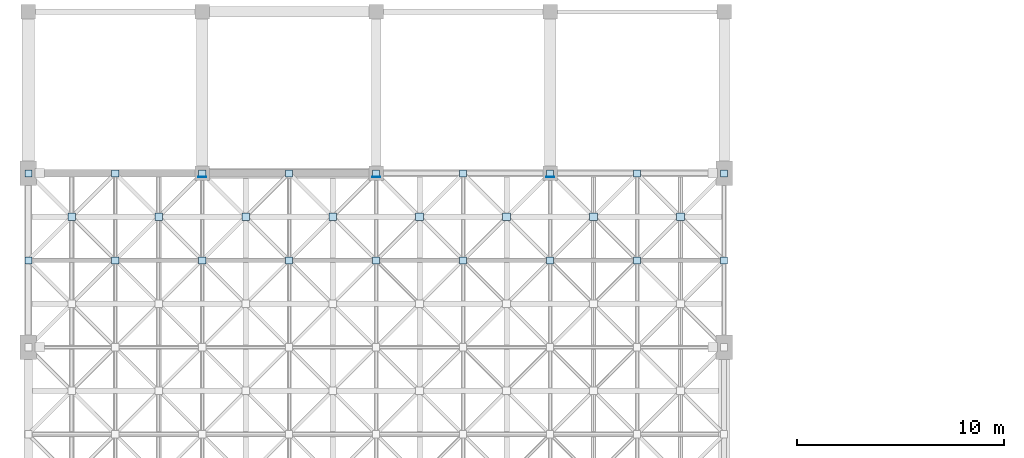
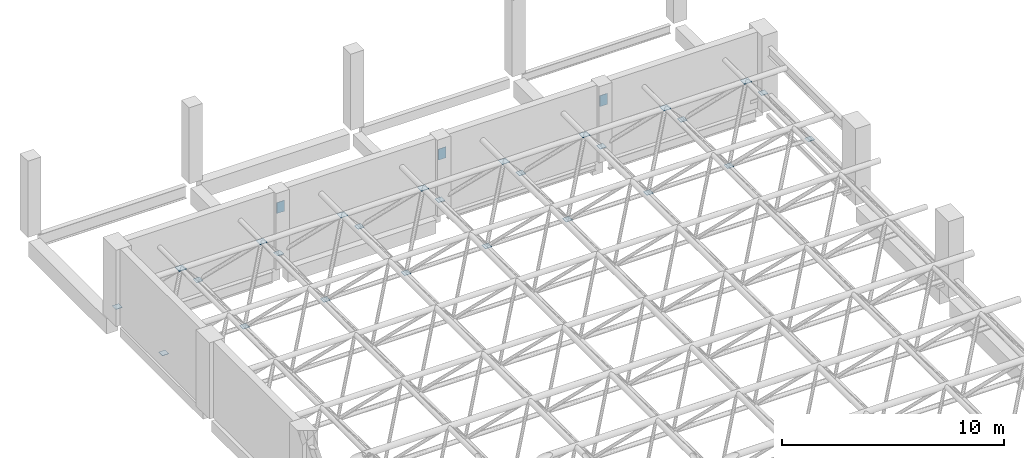
# One storey, part 48 of 64: 29 plates.
"""IFC4 building model written with IfcOpenShell, lengths in metres."""

from ifc_helpers import new_model, si_unit, derived_unit, direction, frame, origin, origin_2d, place, context, subcontext, project, spatial, rectangle, extrude, material, layer, layer_set, type_object, element, save


model = new_model("IFC4")

# Units and contexts
model_context = context("Model", 3, precision=1e-05, world=origin(), true_north=direction((0.0, 1.0)))
body_context = subcontext(model_context, "Body", "Model", "MODEL_VIEW")
ifc_project = project(units=[si_unit("LENGTHUNIT", "METRE"), si_unit("AREAUNIT", "SQUARE_METRE"), si_unit("VOLUMEUNIT", "CUBIC_METRE"), si_unit("PLANEANGLEUNIT", "RADIAN"), si_unit("MASSUNIT", "GRAM", prefix="KILO"), derived_unit("THERMALTRANSMITTANCEUNIT", [(si_unit("POWERUNIT", "WATT"), 1), (si_unit("LENGTHUNIT", "METRE"), -2), (si_unit("THERMODYNAMICTEMPERATUREUNIT", "KELVIN"), -1)])], contexts=[model_context])

# Site, building, storey
site_placement = place(None, origin())
site = spatial("IfcSite", under=ifc_project, at=site_placement, CompositionType="ELEMENT")
building_placement = place(site_placement, origin())
building = spatial("IfcBuilding", under=site, at=building_placement, Name="Barrovel Congress Hotel", CompositionType="ELEMENT")
storey_placement = place(building_placement, frame((0.0, 0.0, 14.10009765625)))
storey = spatial("IfcBuildingStorey", under=building, at=storey_placement, Name="L03", CompositionType="ELEMENT", Elevation=14.10009765625)

# Plates
ifc_material = material(Name="Steel ASTM A992 Grade 50", Category="steel")
ifc_layer_1 = layer(ifc_material, 0.02001953125)
ifc_layer_set_1 = layer_set([ifc_layer_1], Name="Steel ASTM A992 Grade 50")
plate_type_1 = type_object("IfcPlateType", Name="CIP-20", PredefinedType="SHEET", material=ifc_layer_set_1)
for number, where, z_axis, x_axis, name in (
    (1, (8.39990234375, 104.827880859375, 2.949951171875), (0.0, 0.0, 1.0), (1.0, 0.0, 0.0), "Embedded Plate Congress Roof Truss North Wall 8.4"),
    (2, (16.800048828125, 104.827880859375, 2.949951171875), (0.0, 0.0, 1.0), (1.0, 0.0, 0.0), "Embedded Plate Congress Roof Truss North Wall 16.8"),
    (3, (25.199951171875, 104.827880859375, 2.949951171875), (0.0, 0.0, 1.0), (1.0, 0.0, 0.0), "Embedded Plate Congress Roof Truss North Wall 25.2"),
):
    element("IfcPlate", number, at=place(storey_placement, frame(where, z_axis=z_axis, x_axis=x_axis)), inside=storey, type_object=plate_type_1, Name=name, PredefinedType="SHEET", context=body_context, shape_type="SweptSolid", body=[
        extrude(rectangle(XDim=0.39990234375, YDim=0.02001953125, at=origin_2d()), origin(), (0.0, 0.0, 1.0), 0.60009765625),
    ])
ifc_layer_2 = layer(ifc_material, 0.01611328125)
ifc_layer_set_2 = layer_set([ifc_layer_2], Name="Steel ASTM A992 Grade 50")
plate_type_2 = type_object("IfcPlateType", Name="GP-16", PredefinedType="SHEET", material=ifc_layer_set_2)
for number, where, z_axis, x_axis, name in (
    (4, (10.5, 102.89990234375, 3.241943359375), (0.0, 0.0, 1.0), (1.0, 0.0, 0.0), "Space Frame Node Gusset Plate 2-15"),
    (5, (18.89990234375, 102.89990234375, 3.241943359375), (0.0, 0.0, 1.0), (1.0, 0.0, 0.0), "Space Frame Node Gusset Plate 4-15"),
    (6, (27.300048828125, 102.89990234375, 3.241943359375), (0.0, 0.0, 1.0), (1.0, 0.0, 0.0), "Space Frame Node Gusset Plate 6-15"),
):
    element("IfcPlate", number, at=place(storey_placement, frame(where, z_axis=z_axis, x_axis=x_axis)), inside=storey, type_object=plate_type_2, Name=name, PredefinedType="SHEET", context=body_context, shape_type="SweptSolid", body=[
        extrude(rectangle(XDim=0.3798828125, YDim=0.3798828125, at=origin_2d()), origin(), (0.0, 0.0, 1.0), 0.01611328125),
    ])
for number, where, z_axis, x_axis, name in (
    (7, (0.0, 100.800048828125, 0.591796875), (0.0, 0.0, 1.0), (1.0, 0.0, 0.0), "Space Frame Bottom Node Gusset Plate 0-15"),
    (8, (0.0, 105.0, 0.591796875), (0.0, 0.0, 1.0), (1.0, 0.0, 0.0), "Space Frame Bottom Node Gusset Plate 0-16"),
    (9, (4.199951171875, 100.800048828125, 0.591796875), (0.0, 0.0, 1.0), (1.0, 0.0, 0.0), "Space Frame Bottom Node Gusset Plate 1-15"),
    (10, (4.199951171875, 105.0, 0.591796875), (0.0, 0.0, 1.0), (1.0, 0.0, 0.0), "Space Frame Bottom Node Gusset Plate 1-16"),
    (11, (8.39990234375, 100.800048828125, 0.591796875), (0.0, 0.0, 1.0), (1.0, 0.0, 0.0), "Space Frame Bottom Node Gusset Plate 2-15"),
    (12, (8.39990234375, 105.0, 0.591796875), (0.0, 0.0, 1.0), (1.0, 0.0, 0.0), "Space Frame Bottom Node Gusset Plate 2-16"),
    (13, (12.60009765625, 100.800048828125, 0.591796875), (0.0, 0.0, 1.0), (1.0, 0.0, 0.0), "Space Frame Bottom Node Gusset Plate 3-15"),
    (14, (12.60009765625, 105.0, 0.591796875), (0.0, 0.0, 1.0), (1.0, 0.0, 0.0), "Space Frame Bottom Node Gusset Plate 3-16"),
    (15, (16.800048828125, 100.800048828125, 0.591796875), (0.0, 0.0, 1.0), (1.0, 0.0, 0.0), "Space Frame Bottom Node Gusset Plate 4-15"),
    (16, (16.800048828125, 105.0, 0.591796875), (0.0, 0.0, 1.0), (1.0, 0.0, 0.0), "Space Frame Bottom Node Gusset Plate 4-16"),
    (17, (21.0, 100.800048828125, 0.591796875), (0.0, 0.0, 1.0), (1.0, 0.0, 0.0), "Space Frame Bottom Node Gusset Plate 5-15"),
    (18, (21.0, 105.0, 0.591796875), (0.0, 0.0, 1.0), (1.0, 0.0, 0.0), "Space Frame Bottom Node Gusset Plate 5-16"),
    (19, (25.199951171875, 100.800048828125, 0.591796875), (0.0, 0.0, 1.0), (1.0, 0.0, 0.0), "Space Frame Bottom Node Gusset Plate 6-15"),
    (20, (25.199951171875, 105.0, 0.591796875), (0.0, 0.0, 1.0), (1.0, 0.0, 0.0), "Space Frame Bottom Node Gusset Plate 6-16"),
    (21, (29.39990234375, 100.800048828125, 0.591796875), (0.0, 0.0, 1.0), (1.0, 0.0, 0.0), "Space Frame Bottom Node Gusset Plate 7-15"),
    (22, (29.39990234375, 105.0, 0.591796875), (0.0, 0.0, 1.0), (1.0, 0.0, 0.0), "Space Frame Bottom Node Gusset Plate 7-16"),
    (23, (33.60009765625, 100.800048828125, 0.591796875), (0.0, 0.0, 1.0), (1.0, 0.0, 0.0), "Space Frame Bottom Node Gusset Plate 8-15"),
    (24, (33.60009765625, 105.0, 0.591796875), (0.0, 0.0, 1.0), (1.0, 0.0, 0.0), "Space Frame Bottom Node Gusset Plate 8-16"),
):
    element("IfcPlate", number, at=place(storey_placement, frame(where, z_axis=z_axis, x_axis=x_axis)), inside=storey, type_object=plate_type_2, Name=name, PredefinedType="SHEET", context=body_context, shape_type="SweptSolid", body=[
        extrude(rectangle(XDim=0.340087890625, YDim=0.340087890625, at=origin_2d()), origin(), (0.0, 0.0, 1.0), 0.01611328125),
    ])
ifc_layer_3 = layer(ifc_material, 0.02392578125)
ifc_layer_set_3 = layer_set([ifc_layer_3], Name="Steel ASTM A992 Grade 50")
plate_type_3 = type_object("IfcPlateType", Name="GP-24", PredefinedType="SHEET", material=ifc_layer_set_3)
for number, where, z_axis, x_axis, name in (
    (25, (6.300048828125, 102.89990234375, 3.238037109375), (0.0, 0.0, 1.0), (1.0, 0.0, 0.0), "Space Frame Node Gusset Plate 1-15"),
    (26, (14.699951171875, 102.89990234375, 3.238037109375), (0.0, 0.0, 1.0), (1.0, 0.0, 0.0), "Space Frame Node Gusset Plate 3-15"),
    (27, (23.10009765625, 102.89990234375, 3.238037109375), (0.0, 0.0, 1.0), (1.0, 0.0, 0.0), "Space Frame Node Gusset Plate 5-15"),
    (28, (31.5, 102.89990234375, 3.238037109375), (0.0, 0.0, 1.0), (1.0, 0.0, 0.0), "Space Frame Node Gusset Plate 7-15"),
):
    element("IfcPlate", number, at=place(storey_placement, frame(where, z_axis=z_axis, x_axis=x_axis)), inside=storey, type_object=plate_type_3, Name=name, PredefinedType="SHEET", context=body_context, shape_type="SweptSolid", body=[
        extrude(rectangle(XDim=0.3798828125, YDim=0.3798828125, at=origin_2d()), origin(), (0.0, 0.0, 1.0), 0.02392578125),
    ])
ifc_layer_4 = layer(ifc_material, 0.035888671875)
ifc_layer_set_4 = layer_set([ifc_layer_4], Name="Steel ASTM A992 Grade 50")
plate_type_4 = type_object("IfcPlateType", Name="GP-36", PredefinedType="SHEET", material=ifc_layer_set_4)
plate_placement = place(storey_placement, frame((2.10009765625, 102.89990234375, 3.23193359375), z_axis=(0.0, 0.0, 1.0), x_axis=(1.0, 0.0, 0.0)))
element("IfcPlate", 29, at=plate_placement, inside=storey, type_object=plate_type_4, Name="Space Frame Node Gusset Plate 0-15", PredefinedType="SHEET", context=body_context, shape_type="SweptSolid", body=[
    extrude(rectangle(XDim=0.3798828125, YDim=0.3798828125, at=origin_2d()), origin(), (0.0, 0.0, 1.0), 0.035888671875),
])

save(model, "model.ifc")
